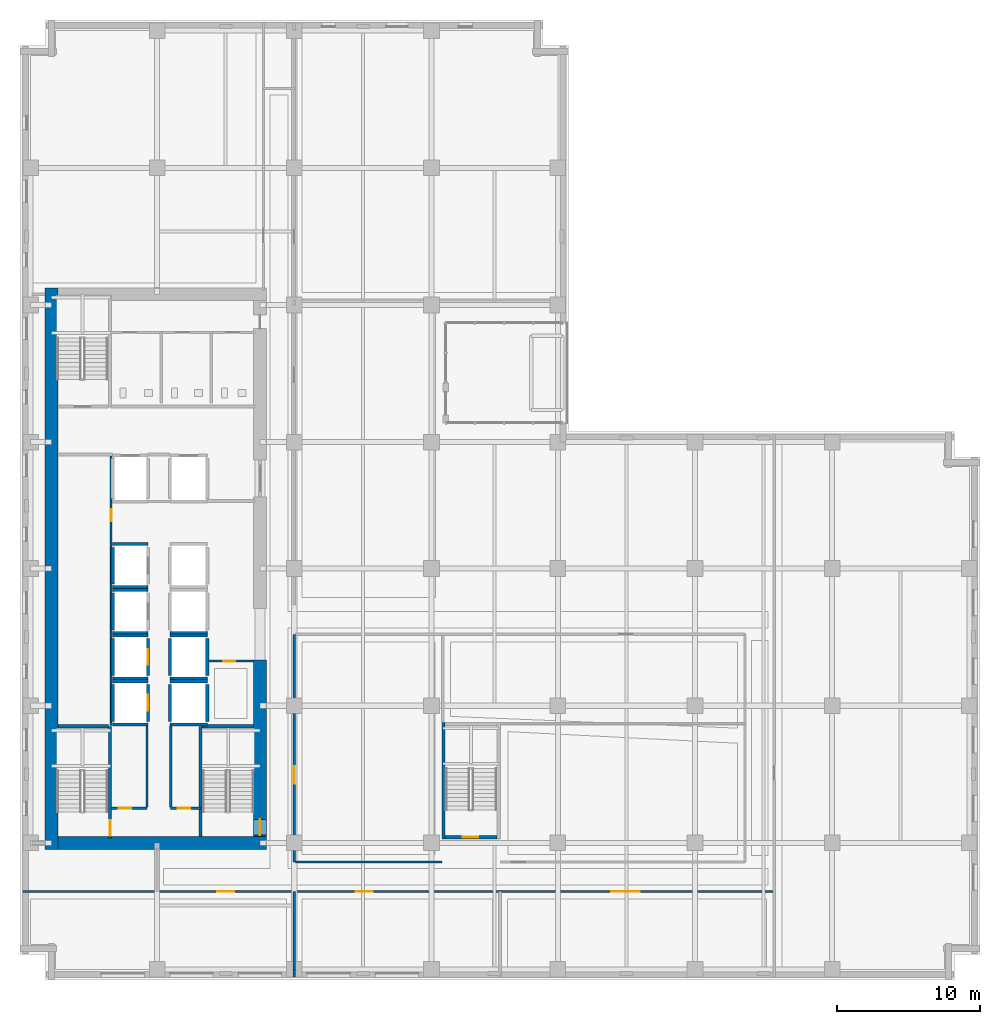
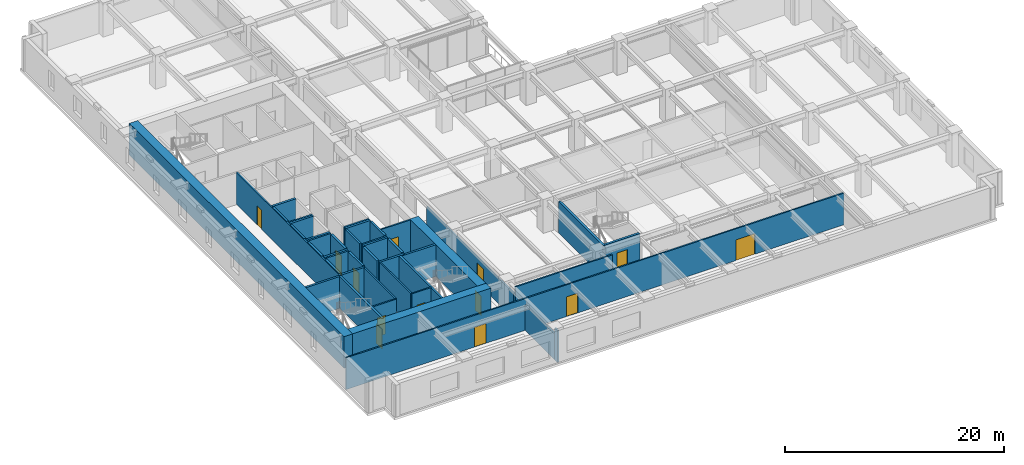
# One storey, part 4 of 16: 43 walls, 13 doors, 13 openings.
"""IFC4 building model written with IfcOpenShell, lengths in metres."""

from ifc_helpers import new_model, si_unit, direction, frame, frame_2d, origin, place, context, subcontext, project, spatial, rectangle, extrude, material, layer, layer_set, type_object, element, fill, save


model = new_model("IFC4")

# Units and contexts
model_context = context("Model", 3, precision=1e-05, world=origin(), true_north=direction((0.0, 1.0)))
body_context = subcontext(model_context, "Body", "Model", "MODEL_VIEW")
ifc_project = project(units=[si_unit("LENGTHUNIT", "METRE"), si_unit("AREAUNIT", "SQUARE_METRE"), si_unit("VOLUMEUNIT", "CUBIC_METRE"), si_unit("PLANEANGLEUNIT", "RADIAN"), si_unit("MASSUNIT", "GRAM", prefix="KILO")], contexts=[model_context])

# Site, building, storey
site_placement = place(None, origin())
site = spatial("IfcSite", under=ifc_project, at=site_placement, CompositionType="ELEMENT")
building_placement = place(site_placement, origin())
building = spatial("IfcBuilding", under=site, at=building_placement, Name="Norrvale University Quadrangle", CompositionType="ELEMENT")
storey_placement = place(building_placement, frame((0.0, 0.0, 58.39990234375)))
storey = spatial("IfcBuildingStorey", under=building, at=storey_placement, Name="L14", CompositionType="ELEMENT", Elevation=58.39990234375)

# Walls
ifc_material_1 = material(Name="Concrete C80/95", Category="concrete")
ifc_layer_1 = layer(ifc_material_1, 0.89990234375, Name="Concrete C80/95")
ifc_layer_set_1 = layer_set([ifc_layer_1], Name="Concrete C80/95")
wall_type_1 = type_object("IfcWallType", Name="Wall Core 900", PredefinedType="SHEAR", material=ifc_layer_set_1)
wall_1_placement = place(storey_placement, frame((2.64990234375, 9.60009765625, 0.0), z_axis=(0.0, 0.0, 1.0), x_axis=(1.0, 0.0, 0.0)))
element("IfcWall", 1, at=wall_1_placement, inside=storey, type_object=wall_type_1, Name="Tower Core Shear Wall L14-S", PredefinedType="SHEAR", context=body_context, shape_type="SweptSolid", body=[
    extrude(rectangle(XDim=14.60009765625, YDim=0.89990234375, at=frame_2d((7.300048828125, 0.0))), origin(), (0.0, 0.0, 1.0), 3.5400390625),
])
wall_2_placement = place(storey_placement, frame((2.199951171875, 9.14990234375, 0.0), z_axis=(0.0, 0.0, 1.0), x_axis=(0.0, 1.0, 0.0)))
element("IfcWall", 2, at=wall_2_placement, inside=storey, type_object=wall_type_1, Name="Tower Core Shear Wall L14-W", PredefinedType="SHEAR", context=body_context, shape_type="SweptSolid", body=[
    extrude(rectangle(XDim=39.300048828125, YDim=0.89990234375, at=frame_2d((19.64990234375, 0.0))), origin(), (0.0, 0.0, 1.0), 3.5400390625),
])

# Wall, opening, door
wall_3_placement = place(storey_placement, frame((16.800048828125, 10.050048828125, 0.0), z_axis=(0.0, 0.0, 1.0), x_axis=(0.0, 1.0, 0.0)))
wall_3 = element("IfcWall", 3, at=wall_3_placement, inside=storey, type_object=wall_type_1, Name="Tower Core Shear Wall L14-E1", PredefinedType="SHEAR", context=body_context, shape_type="SweptSolid", body=[
    extrude(rectangle(XDim=12.349853515625, YDim=0.89990234375, at=frame_2d((6.1748046875, 0.0))), origin(), (0.0, 0.0, 1.0), 3.5400390625),
])
opening_1_placement = place(wall_3_placement, frame((0.090087890625, 0.0, 0.0)))
opening_1 = element("IfcOpeningElement", 4, at=opening_1_placement, cuts=wall_3, Name="Opening D02", PredefinedType="OPENING", context=body_context, shape_type="SweptSolid", body=[
    extrude(rectangle(XDim=1.10009765625, YDim=2.199951171875, at=frame_2d((0.550048828125, 1.10009765625))), frame((0.0, 0.4619140625, 0.0), z_axis=(0.0, -1.0, 0.0), x_axis=(1.0, 0.0, 0.0)), (0.0, 0.0, 1.0), 0.923828125),
])
ifc_material_2 = material(Name="Hollow Steel 350W Fire Door", Category="steel")
door_type_1 = type_object("IfcDoorType", Name="Door Stair Exit 1100x2200", OperationType="NOTDEFINED", PredefinedType="DOOR", material=ifc_material_2)
door_1_placement = place(opening_1_placement, origin())
door_1 = element("IfcDoor", 5, at=door_1_placement, inside=storey, type_object=door_type_1, Name="Door Stair Exit 1100x2200 DR-L14-ST03", OperationType="SINGLE_SWING_LEFT", OverallHeight=2.199951171875, OverallWidth=1.10009765625, PredefinedType="DOOR", context=body_context, shape_type="SweptSolid", body=[
    extrude(rectangle(XDim=1.10009765625, YDim=2.199951171875, at=frame_2d((0.550048828125, 1.10009765625))), frame((0.0, 0.02490234375, 0.0), z_axis=(0.0, -1.0, 0.0), x_axis=(1.0, 0.0, 0.0)), (0.0, 0.0, 1.0), 0.050048828125),
])
fill(opening_1, door_1)

ifc_material_3 = material(Name="Fire-Rated Gypsum Stud Partition")
ifc_layer_2 = layer(ifc_material_3, 0.14990234375, Name="Fire-Rated Gypsum Stud Partition")
ifc_layer_set_2 = layer_set([ifc_layer_2], Name="Fire-Rated Gypsum Stud Partition")
wall_type_2 = type_object("IfcWallType", Name="Wall Gypsum Corridor 150", PredefinedType="PARTITIONING", material=ifc_layer_set_2)
wall_4_placement = place(storey_placement, frame((6.419921875, 12.02001953125, 0.0), z_axis=(0.0, 0.0, 1.0), x_axis=(1.0, 0.0, 0.0)))
wall_4 = element("IfcWall", 6, at=wall_4_placement, inside=storey, type_object=wall_type_2, Name="Interior Partition WL-L14-SC-NL", PredefinedType="PARTITIONING", context=body_context, shape_type="SweptSolid", body=[
    extrude(rectangle(XDim=2.47998046875, YDim=0.14990234375, at=frame_2d((1.239990234375, 0.0))), origin(), (0.0, 0.0, 1.0), 3.5400390625),
])
opening_2_placement = place(wall_4_placement, frame((0.5, 0.0, 0.0)))
opening_2 = element("IfcOpeningElement", 7, at=opening_2_placement, cuts=wall_4, Name="Opening D10", PredefinedType="OPENING", context=body_context, shape_type="SweptSolid", body=[
    extrude(rectangle(XDim=0.85009765625, YDim=2.10009765625, at=frame_2d((0.425048828125, 1.050048828125))), frame((0.0, 0.0869140625, 0.0), z_axis=(0.0, -1.0, 0.0), x_axis=(1.0, 0.0, 0.0)), (0.0, 0.0, 1.0), 0.173828125),
])
ifc_material_4 = material(Name="Hollow Steel 350W Riser Fire Door", Category="steel")
door_type_2 = type_object("IfcDoorType", Name="Door Riser 850x2100", OperationType="NOTDEFINED", PredefinedType="DOOR", material=ifc_material_4)
door_2_placement = place(opening_2_placement, origin())
door_2 = element("IfcDoor", 8, at=door_2_placement, inside=storey, type_object=door_type_2, Name="Door Riser 850x2100 DR-L14-ELEC", OperationType="SINGLE_SWING_LEFT", OverallHeight=2.10009765625, OverallWidth=0.85009765625, PredefinedType="DOOR", context=body_context, shape_type="SweptSolid", body=[
    extrude(rectangle(XDim=0.85009765625, YDim=2.10009765625, at=frame_2d((0.425048828125, 1.050048828125))), frame((0.0, 0.02490234375, 0.0), z_axis=(0.0, -1.0, 0.0), x_axis=(1.0, 0.0, 0.0)), (0.0, 0.0, 1.0), 0.050048828125),
])
fill(opening_2, door_2)

wall_5_placement = place(storey_placement, frame((10.550048828125, 12.02001953125, 0.0), z_axis=(0.0, 0.0, 1.0), x_axis=(1.0, 0.0, 0.0)))
wall_5 = element("IfcWall", 9, at=wall_5_placement, inside=storey, type_object=wall_type_2, Name="Interior Partition WL-L14-SC-NR", PredefinedType="PARTITIONING", context=body_context, shape_type="SweptSolid", body=[
    extrude(rectangle(XDim=2.079833984375, YDim=0.14990234375, at=frame_2d((1.0400390625, 0.0))), origin(), (0.0, 0.0, 1.0), 3.5400390625),
])
opening_3_placement = place(wall_5_placement, frame((0.5, 0.0, 0.0)))
opening_3 = element("IfcOpeningElement", 10, at=opening_3_placement, cuts=wall_5, Name="Opening D10", PredefinedType="OPENING", context=body_context, shape_type="SweptSolid", body=[
    extrude(rectangle(XDim=0.85009765625, YDim=2.10009765625, at=frame_2d((0.425048828125, 1.050048828125))), frame((0.0, 0.0869140625, 0.0), z_axis=(0.0, -1.0, 0.0), x_axis=(1.0, 0.0, 0.0)), (0.0, 0.0, 1.0), 0.173828125),
])
door_3_placement = place(opening_3_placement, origin())
door_3 = element("IfcDoor", 11, at=door_3_placement, inside=storey, type_object=door_type_2, Name="Door Riser 850x2100 DR-L14-IDF", OperationType="SINGLE_SWING_RIGHT", OverallHeight=2.10009765625, OverallWidth=0.85009765625, PredefinedType="DOOR", context=body_context, shape_type="SweptSolid", body=[
    extrude(rectangle(XDim=0.85009765625, YDim=2.10009765625, at=frame_2d((0.425048828125, 1.050048828125))), frame((0.0, 0.02490234375, 0.0), z_axis=(0.0, -1.0, 0.0), x_axis=(1.0, 0.0, 0.0)), (0.0, 0.0, 1.0), 0.050048828125),
])
fill(opening_3, door_3)

# Walls
for number, where, z_axis, x_axis, name in (
    (12, (8.89990234375, 12.094970703125, 0.0), (0.0, 0.0, 1.0), (0.0, 1.0, 0.0), "Interior Partition WL-L14-SC-WL"),
    (13, (10.550048828125, 12.094970703125, 0.0), (0.0, 0.0, 1.0), (0.0, 1.0, 0.0), "Interior Partition WL-L14-SC-WR"),
):
    element("IfcWall", number, at=place(storey_placement, frame(where, z_axis=z_axis, x_axis=x_axis)), inside=storey, type_object=wall_type_2, Name=name, PredefinedType="PARTITIONING", context=body_context, shape_type="SweptSolid", body=[
        extrude(rectangle(XDim=5.679931640625, YDim=0.14990234375, at=frame_2d((2.83984375, 0.0))), origin(), (0.0, 0.0, 1.0), 3.5400390625),
    ])

# Wall, opening, door
wall_6_placement = place(storey_placement, frame((13.22509765625, 22.320068359375, 0.0), z_axis=(0.0, 0.0, 1.0), x_axis=(1.0, 0.0, 0.0)))
wall_6 = element("IfcWall", 14, at=wall_6_placement, inside=storey, type_object=wall_type_2, Name="Interior Partition WL-L14-JAN-N", PredefinedType="PARTITIONING", context=body_context, shape_type="SweptSolid", body=[
    extrude(rectangle(XDim=3.119873046875, YDim=0.14990234375, at=frame_2d((1.56005859375, 0.0))), origin(), (0.0, 0.0, 1.0), 3.5400390625),
])
opening_4_placement = place(wall_6_placement, frame((1.0, 0.0, 0.0)))
opening_4 = element("IfcOpeningElement", 15, at=opening_4_placement, cuts=wall_6, Name="Opening D10", PredefinedType="OPENING", context=body_context, shape_type="SweptSolid", body=[
    extrude(rectangle(XDim=0.85009765625, YDim=2.10009765625, at=frame_2d((0.425048828125, 1.050048828125))), frame((0.0, 0.0869140625, 0.0), z_axis=(0.0, -1.0, 0.0), x_axis=(1.0, 0.0, 0.0)), (0.0, 0.0, 1.0), 0.173828125),
])
door_4_placement = place(opening_4_placement, origin())
door_4 = element("IfcDoor", 16, at=door_4_placement, inside=storey, type_object=door_type_2, Name="Door Riser 850x2100 DR-L14-JAN", OperationType="SINGLE_SWING_LEFT", OverallHeight=2.10009765625, OverallWidth=0.85009765625, PredefinedType="DOOR", context=body_context, shape_type="SweptSolid", body=[
    extrude(rectangle(XDim=0.85009765625, YDim=2.10009765625, at=frame_2d((0.425048828125, 1.050048828125))), frame((0.0, 0.02490234375, 0.0), z_axis=(0.0, -1.0, 0.0), x_axis=(1.0, 0.0, 0.0)), (0.0, 0.0, 1.0), 0.050048828125),
])
fill(opening_4, door_4)

wall_7_placement = place(storey_placement, frame((6.3798828125, 17.800048828125, 0.0), z_axis=(0.0, 0.0, 1.0), x_axis=(0.0, 1.0, 0.0)))
wall_7 = element("IfcWall", 17, at=wall_7_placement, inside=storey, type_object=wall_type_2, Name="Interior Partition WL-L14-WME-E", PredefinedType="PARTITIONING", context=body_context, shape_type="SweptSolid", body=[
    extrude(rectangle(XDim=18.97998046875, YDim=0.14990234375, at=frame_2d((9.489990234375, 0.0))), origin(), (0.0, 0.0, 1.0), 3.5400390625),
])
opening_5_placement = place(wall_7_placement, frame((14.300048828125, 0.0, 0.0)))
opening_5 = element("IfcOpeningElement", 18, at=opening_5_placement, cuts=wall_7, Name="Opening D10", PredefinedType="OPENING", context=body_context, shape_type="SweptSolid", body=[
    extrude(rectangle(XDim=0.85009765625, YDim=2.10009765625, at=frame_2d((0.425048828125, 1.050048828125))), frame((0.0, 0.0869140625, 0.0), z_axis=(0.0, -1.0, 0.0), x_axis=(1.0, 0.0, 0.0)), (0.0, 0.0, 1.0), 0.173828125),
])
door_5_placement = place(opening_5_placement, origin())
door_5 = element("IfcDoor", 19, at=door_5_placement, inside=storey, type_object=door_type_2, Name="Door Riser 850x2100 DR-L14-WME", OperationType="SINGLE_SWING_LEFT", OverallHeight=2.10009765625, OverallWidth=0.85009765625, PredefinedType="DOOR", context=body_context, shape_type="SweptSolid", body=[
    extrude(rectangle(XDim=0.85009765625, YDim=2.10009765625, at=frame_2d((0.425048828125, 1.050048828125))), frame((0.0, 0.02490234375, 0.0), z_axis=(0.0, -1.0, 0.0), x_axis=(1.0, 0.0, 0.0)), (0.0, 0.0, 1.0), 0.050048828125),
])
fill(opening_5, door_5)

# Wall, openings, doors
wall_8_placement = place(storey_placement, frame((0.219970703125, 6.199951171875, 0.0), z_axis=(0.0, 0.0, 1.0), x_axis=(1.0, 0.0, 0.0)))
wall_8 = element("IfcWall", 20, at=wall_8_placement, inside=storey, type_object=wall_type_2, Name="Interior Partition WL-L14-SCW", PredefinedType="PARTITIONING", context=body_context, shape_type="SweptSolid", body=[
    extrude(rectangle(XDim=52.580078125, YDim=0.14990234375, at=frame_2d((26.2900390625, 0.0))), origin(), (0.0, 0.0, 1.0), 3.5400390625),
])
opening_6_placement = place(wall_8_placement, frame((13.580078125, 0.0, 0.0)))
opening_6 = element("IfcOpeningElement", 21, at=opening_6_placement, cuts=wall_8, Name="Opening D05", PredefinedType="OPENING", context=body_context, shape_type="SweptSolid", body=[
    extrude(rectangle(XDim=1.199951171875, YDim=2.199951171875, at=frame_2d((0.60009765625, 1.10009765625))), frame((0.0, 0.0869140625, 0.0), z_axis=(0.0, -1.0, 0.0), x_axis=(1.0, 0.0, 0.0)), (0.0, 0.0, 1.0), 0.173828125),
])
opening_7_placement = place(wall_8_placement, frame((23.280029296875, 0.0, 0.0)))
opening_7 = element("IfcOpeningElement", 22, at=opening_7_placement, cuts=wall_8, Name="Opening D05", PredefinedType="OPENING", context=body_context, shape_type="SweptSolid", body=[
    extrude(rectangle(XDim=1.199951171875, YDim=2.199951171875, at=frame_2d((0.60009765625, 1.10009765625))), frame((0.0, 0.0869140625, 0.0), z_axis=(0.0, -1.0, 0.0), x_axis=(1.0, 0.0, 0.0)), (0.0, 0.0, 1.0), 0.173828125),
])
opening_8_placement = place(wall_8_placement, frame((41.179931640625, 0.0, 0.0)))
opening_8 = element("IfcOpeningElement", 23, at=opening_8_placement, cuts=wall_8, Name="Opening D06", PredefinedType="OPENING", context=body_context, shape_type="SweptSolid", body=[
    extrude(rectangle(XDim=2.0, YDim=2.300048828125, at=frame_2d((1.0, 1.14990234375))), frame((0.0, 0.0869140625, 0.0), z_axis=(0.0, -1.0, 0.0), x_axis=(1.0, 0.0, 0.0)), (0.0, 0.0, 1.0), 0.173828125),
])
ifc_material_5 = material(Name="Acoustic Oak Classroom Door", Category="wood")
door_type_3 = type_object("IfcDoorType", Name="Door Classroom 1200x2200", OperationType="NOTDEFINED", PredefinedType="DOOR", material=ifc_material_5)
door_6_placement = place(opening_6_placement, origin())
door_6 = element("IfcDoor", 24, at=door_6_placement, inside=storey, type_object=door_type_3, Name="Door Classroom 1200x2200 DR-L14-S01", OperationType="SINGLE_SWING_LEFT", OverallHeight=2.199951171875, OverallWidth=1.199951171875, PredefinedType="DOOR", context=body_context, shape_type="SweptSolid", body=[
    extrude(rectangle(XDim=1.199951171875, YDim=2.199951171875, at=frame_2d((0.60009765625, 1.10009765625))), frame((0.0, 0.02490234375, 0.0), z_axis=(0.0, -1.0, 0.0), x_axis=(1.0, 0.0, 0.0)), (0.0, 0.0, 1.0), 0.050048828125),
])
fill(opening_6, door_6)
door_7_placement = place(opening_7_placement, origin())
door_7 = element("IfcDoor", 25, at=door_7_placement, inside=storey, type_object=door_type_3, Name="Door Classroom 1200x2200 DR-L14-S02", OperationType="SINGLE_SWING_RIGHT", OverallHeight=2.199951171875, OverallWidth=1.199951171875, PredefinedType="DOOR", context=body_context, shape_type="SweptSolid", body=[
    extrude(rectangle(XDim=1.199951171875, YDim=2.199951171875, at=frame_2d((0.60009765625, 1.10009765625))), frame((0.0, 0.02490234375, 0.0), z_axis=(0.0, -1.0, 0.0), x_axis=(1.0, 0.0, 0.0)), (0.0, 0.0, 1.0), 0.050048828125),
])
fill(opening_7, door_7)
ifc_material_6 = material(Name="Acoustic Oak Double Door", Category="wood")
door_type_4 = type_object("IfcDoorType", Name="Door Lecture Dbl 2000x2300", OperationType="DOUBLE_SWING_LEFT", PredefinedType="DOOR", material=ifc_material_6)
door_8_placement = place(opening_8_placement, origin())
door_8 = element("IfcDoor", 26, at=door_8_placement, inside=storey, type_object=door_type_4, Name="Door Lecture Dbl 2000x2300 DR-L14-S03", OperationType="DOUBLE_SWING_LEFT", OverallHeight=2.300048828125, OverallWidth=2.0, PredefinedType="DOOR", context=body_context, shape_type="SweptSolid", body=[
    extrude(rectangle(XDim=2.0, YDim=2.300048828125, at=frame_2d((1.0, 1.14990234375))), frame((0.0, 0.02490234375, 0.0), z_axis=(0.0, -1.0, 0.0), x_axis=(1.0, 0.0, 0.0)), (0.0, 0.0, 1.0), 0.050048828125),
])
fill(opening_8, door_8)

# Wall, opening, door
wall_9_placement = place(storey_placement, frame((19.199951171875, 8.25, 0.0), z_axis=(0.0, 0.0, 1.0), x_axis=(0.0, 1.0, 0.0)))
wall_9 = element("IfcWall", 27, at=wall_9_placement, inside=storey, type_object=wall_type_2, Name="Interior Partition WL-L14-ISLW", PredefinedType="PARTITIONING", context=body_context, shape_type="SweptSolid", body=[
    extrude(rectangle(XDim=15.949951171875, YDim=0.14990234375, at=frame_2d((7.97509765625, 0.0))), origin(), (0.0, 0.0, 1.0), 2.84521484375),
])
opening_9_placement = place(wall_9_placement, frame((5.5, 0.0, 0.0)))
opening_9 = element("IfcOpeningElement", 28, at=opening_9_placement, cuts=wall_9, Name="Opening D05", PredefinedType="OPENING", context=body_context, shape_type="SweptSolid", body=[
    extrude(rectangle(XDim=1.199951171875, YDim=2.199951171875, at=frame_2d((0.60009765625, 1.10009765625))), frame((0.0, 0.0869140625, 0.0), z_axis=(0.0, -1.0, 0.0), x_axis=(1.0, 0.0, 0.0)), (0.0, 0.0, 1.0), 0.173828125),
])
door_9_placement = place(opening_9_placement, origin())
door_9 = element("IfcDoor", 29, at=door_9_placement, inside=storey, type_object=door_type_3, Name="Door Classroom 1200x2200 DR-L14-IW1", OperationType="SINGLE_SWING_LEFT", OverallHeight=2.199951171875, OverallWidth=1.199951171875, PredefinedType="DOOR", context=body_context, shape_type="SweptSolid", body=[
    extrude(rectangle(XDim=1.199951171875, YDim=2.199951171875, at=frame_2d((0.60009765625, 1.10009765625))), frame((0.0, 0.02490234375, 0.0), z_axis=(0.0, -1.0, 0.0), x_axis=(1.0, 0.0, 0.0)), (0.0, 0.0, 1.0), 0.050048828125),
])
fill(opening_9, door_9)

# Walls
wall_10_placement = place(storey_placement, frame((19.280029296875, 8.25, 0.0), z_axis=(0.0, 0.0, 1.0), x_axis=(1.0, 0.0, 0.0)))
element("IfcWall", 30, at=wall_10_placement, inside=storey, type_object=wall_type_2, Name="Interior Partition WL-L14-ISLS1", PredefinedType="PARTITIONING", context=body_context, shape_type="SweptSolid", body=[
    extrude(rectangle(XDim=10.244873046875, YDim=0.14990234375, at=frame_2d((5.12255859375, 0.0))), origin(), (0.0, 0.0, 1.0), 3.5400390625),
])
ifc_material_7 = material(Name="Acoustic Double-Stud Gypsum Partition")
ifc_layer_3 = layer(ifc_material_7, 0.179931640625, Name="Acoustic Double-Stud Gypsum Partition")
ifc_layer_set_3 = layer_set([ifc_layer_3], Name="Acoustic Double-Stud Gypsum Partition")
wall_type_3 = type_object("IfcWallType", Name="Wall Gypsum Lecture 180", PredefinedType="PARTITIONING", material=ifc_layer_set_3)
wall_11_placement = place(storey_placement, frame((19.199951171875, 0.219970703125, 0.0), z_axis=(0.0, 0.0, 1.0), x_axis=(0.0, 1.0, 0.0)))
element("IfcWall", 31, at=wall_11_placement, inside=storey, type_object=wall_type_3, Name="Interior Partition WL-L14-SP01", PredefinedType="PARTITIONING", context=body_context, shape_type="SweptSolid", body=[
    extrude(rectangle(XDim=0.530029296875, YDim=0.179931640625, at=frame_2d((0.26513671875, 0.0))), origin(), (0.0, 0.0, 1.0), 3.5400390625),
])
wall_12_placement = place(storey_placement, frame((19.199951171875, 0.75, 0.0), z_axis=(0.0, 0.0, 1.0), x_axis=(0.0, 1.0, 0.0)))
element("IfcWall", 32, at=wall_12_placement, inside=storey, type_object=wall_type_3, Name="Interior Partition WL-L14-SP01-B2", PredefinedType="PARTITIONING", context=body_context, shape_type="SweptSolid", body=[
    extrude(rectangle(XDim=5.449951171875, YDim=0.179931640625, at=frame_2d((2.72509765625, 0.0))), origin(), (0.0, 0.0, 1.0), 2.84521484375),
])

# Wall, opening, door
ifc_material_8 = material(Name="Concrete Blockwork 20 MPa Fire Shaft", Category="masonry")
ifc_layer_4 = layer(ifc_material_8, 0.219970703125, Name="Concrete Blockwork 20 MPa Fire Shaft")
ifc_layer_set_4 = layer_set([ifc_layer_4], Name="Concrete Blockwork 20 MPa Fire Shaft")
wall_type_4 = type_object("IfcWallType", Name="Wall Shaft 220", PredefinedType="SOLIDWALL", material=ifc_layer_set_4)
wall_13_placement = place(storey_placement, frame((6.31005859375, 9.949951171875, 0.0), z_axis=(0.0, 0.0, 1.0), x_axis=(0.0, 1.0, 0.0)))
wall_13 = element("IfcWall", 33, at=wall_13_placement, inside=storey, type_object=wall_type_4, Name="Stair ST-01 East Shaft Wall L14", PredefinedType="SOLIDWALL", context=body_context, shape_type="SweptSolid", body=[
    extrude(rectangle(XDim=7.81005859375, YDim=0.219970703125, at=frame_2d((3.905029296875, 0.0))), origin(), (0.0, 0.0, 1.0), 3.5400390625),
])
opening_10_placement = place(wall_13_placement, frame((0.139892578125, 0.0, 0.0)))
opening_10 = element("IfcOpeningElement", 34, at=opening_10_placement, cuts=wall_13, Name="Opening D02", PredefinedType="OPENING", context=body_context, shape_type="SweptSolid", body=[
    extrude(rectangle(XDim=1.10009765625, YDim=2.199951171875, at=frame_2d((0.550048828125, 1.10009765625))), frame((0.0, 0.1220703125, 0.0), z_axis=(0.0, -1.0, 0.0), x_axis=(1.0, 0.0, 0.0)), (0.0, 0.0, 1.0), 0.243896484375),
])
door_10_placement = place(opening_10_placement, origin())
door_10 = element("IfcDoor", 35, at=door_10_placement, inside=storey, type_object=door_type_1, Name="Door Stair Exit 1100x2200 DR-L14-ST01", OperationType="SINGLE_SWING_LEFT", OverallHeight=2.199951171875, OverallWidth=1.10009765625, PredefinedType="DOOR", context=body_context, shape_type="SweptSolid", body=[
    extrude(rectangle(XDim=1.10009765625, YDim=2.199951171875, at=frame_2d((0.550048828125, 1.10009765625))), frame((0.0, 0.02490234375, 0.0), z_axis=(0.0, -1.0, 0.0), x_axis=(1.0, 0.0, 0.0)), (0.0, 0.0, 1.0), 0.050048828125),
])
fill(opening_10, door_10)

# Walls
wall_14_placement = place(storey_placement, frame((2.64990234375, 17.760009765625, 0.0), z_axis=(0.0, 0.0, 1.0), x_axis=(1.0, 0.0, 0.0)))
element("IfcWall", 36, at=wall_14_placement, inside=storey, type_object=wall_type_4, Name="Stair ST-01 North Shaft Wall L14", PredefinedType="SOLIDWALL", context=body_context, shape_type="SweptSolid", body=[
    extrude(rectangle(XDim=3.550048828125, YDim=0.219970703125, at=frame_2d((1.77490234375, 0.0))), origin(), (0.0, 0.0, 1.0), 3.5400390625),
])
wall_15_placement = place(storey_placement, frame((12.639892578125, 10.050048828125, 0.0), z_axis=(0.0, 0.0, 1.0), x_axis=(0.0, 1.0, 0.0)))
element("IfcWall", 37, at=wall_15_placement, inside=storey, type_object=wall_type_4, Name="Stair ST-03 West Shaft Wall L14", PredefinedType="SOLIDWALL", context=body_context, shape_type="SweptSolid", body=[
    extrude(rectangle(XDim=7.7099609375, YDim=0.219970703125, at=frame_2d((3.85498046875, 0.0))), origin(), (0.0, 0.0, 1.0), 3.5400390625),
])
wall_16_placement = place(storey_placement, frame((12.75, 17.760009765625, 0.0), z_axis=(0.0, 0.0, 1.0), x_axis=(1.0, 0.0, 0.0)))
element("IfcWall", 38, at=wall_16_placement, inside=storey, type_object=wall_type_4, Name="Stair ST-03 North Shaft Wall L14", PredefinedType="SOLIDWALL", context=body_context, shape_type="SweptSolid", body=[
    extrude(rectangle(XDim=3.60009765625, YDim=0.219970703125, at=frame_2d((1.800048828125, 0.0))), origin(), (0.0, 0.0, 1.0), 3.5400390625),
])

# Wall, opening, door
wall_17_placement = place(storey_placement, frame((29.75, 9.989990234375, 0.0), z_axis=(0.0, 0.0, 1.0), x_axis=(1.0, 0.0, 0.0)))
wall_17 = element("IfcWall", 39, at=wall_17_placement, inside=storey, type_object=wall_type_4, Name="Stair ST-04 South Shaft Wall L14", PredefinedType="SOLIDWALL", context=body_context, shape_type="SweptSolid", body=[
    extrude(rectangle(XDim=3.64990234375, YDim=0.219970703125, at=frame_2d((1.824951171875, 0.0))), origin(), (0.0, 0.0, 1.0), 3.5400390625),
])
opening_11_placement = place(wall_17_placement, frame((1.239990234375, 0.0, 0.0)))
opening_11 = element("IfcOpeningElement", 40, at=opening_11_placement, cuts=wall_17, Name="Opening D02", PredefinedType="OPENING", context=body_context, shape_type="SweptSolid", body=[
    extrude(rectangle(XDim=1.10009765625, YDim=2.199951171875, at=frame_2d((0.550048828125, 1.10009765625))), frame((0.0, 0.1220703125, 0.0), z_axis=(0.0, -1.0, 0.0), x_axis=(1.0, 0.0, 0.0)), (0.0, 0.0, 1.0), 0.243896484375),
])
door_11_placement = place(opening_11_placement, origin())
door_11 = element("IfcDoor", 41, at=door_11_placement, inside=storey, type_object=door_type_1, Name="Door Stair Exit 1100x2200 DR-L14-ST04", OperationType="SINGLE_SWING_LEFT", OverallHeight=2.199951171875, OverallWidth=1.10009765625, PredefinedType="DOOR", context=body_context, shape_type="SweptSolid", body=[
    extrude(rectangle(XDim=1.10009765625, YDim=2.199951171875, at=frame_2d((0.550048828125, 1.10009765625))), frame((0.0, 0.02490234375, 0.0), z_axis=(0.0, -1.0, 0.0), x_axis=(1.0, 0.0, 0.0)), (0.0, 0.0, 1.0), 0.050048828125),
])
fill(opening_11, door_11)

# Walls
wall_18_placement = place(storey_placement, frame((29.639892578125, 9.8798828125, 0.0), z_axis=(0.0, 0.0, 1.0), x_axis=(0.0, 1.0, 0.0)))
element("IfcWall", 42, at=wall_18_placement, inside=storey, type_object=wall_type_4, Name="Stair ST-04 West Shaft Wall L14", PredefinedType="SOLIDWALL", context=body_context, shape_type="SweptSolid", body=[
    extrude(rectangle(XDim=8.14013671875, YDim=0.219970703125, at=frame_2d((4.070068359375, 0.0))), origin(), (0.0, 0.0, 1.0), 3.5400390625),
])
wall_19_placement = place(storey_placement, frame((6.489990234375, 18.110107421875, 0.0), z_axis=(0.0, 0.0, 1.0), x_axis=(0.0, 1.0, 0.0)))
element("IfcWall", 43, at=wall_19_placement, inside=storey, type_object=wall_type_4, Name="Hoistway PL-01 West Wall L14", PredefinedType="SOLIDWALL", context=body_context, shape_type="SweptSolid", body=[
    extrude(rectangle(XDim=2.579833984375, YDim=0.219970703125, at=frame_2d((1.2900390625, 0.0))), origin(), (0.0, 0.0, 1.0), 3.5400390625),
])

# Wall, opening, door
wall_20_placement = place(storey_placement, frame((8.9599609375, 18.110107421875, 0.0), z_axis=(0.0, 0.0, 1.0), x_axis=(0.0, 1.0, 0.0)))
wall_20 = element("IfcWall", 44, at=wall_20_placement, inside=storey, type_object=wall_type_4, Name="Hoistway PL-01 East Wall L14", PredefinedType="SOLIDWALL", context=body_context, shape_type="SweptSolid", body=[
    extrude(rectangle(XDim=2.579833984375, YDim=0.219970703125, at=frame_2d((1.2900390625, 0.0))), origin(), (0.0, 0.0, 1.0), 3.5400390625),
])
opening_12_placement = place(wall_20_placement, frame((0.739990234375, 0.0, 0.0)))
opening_12 = element("IfcOpeningElement", 45, at=opening_12_placement, cuts=wall_20, Name="Opening LD1", PredefinedType="OPENING", context=body_context, shape_type="SweptSolid", body=[
    extrude(rectangle(XDim=1.10009765625, YDim=2.199951171875, at=frame_2d((0.550048828125, 1.10009765625))), frame((0.0, 0.1220703125, 0.0), z_axis=(0.0, -1.0, 0.0), x_axis=(1.0, 0.0, 0.0)), (0.0, 0.0, 1.0), 0.243896484375),
])
ifc_material_9 = material(Name="Stainless Steel 316L Lift Landing Door", Category="steel")
door_type_5 = type_object("IfcDoorType", Name="Door Lift Landing 1100x2200", OperationType="DOUBLE_DOOR_SLIDING", PredefinedType="DOOR", material=ifc_material_9)
door_12_placement = place(opening_12_placement, origin())
door_12 = element("IfcDoor", 46, at=door_12_placement, inside=storey, type_object=door_type_5, Name="Elevator Landing Door DR-L14-PL-01", OperationType="DOUBLE_DOOR_SLIDING", OverallHeight=2.199951171875, OverallWidth=1.10009765625, PredefinedType="DOOR", context=body_context, shape_type="SweptSolid", body=[
    extrude(rectangle(XDim=1.10009765625, YDim=2.199951171875, at=frame_2d((0.550048828125, 1.10009765625))), frame((0.0, 0.02490234375, 0.0), z_axis=(0.0, -1.0, 0.0), x_axis=(1.0, 0.0, 0.0)), (0.0, 0.0, 1.0), 0.050048828125),
])
fill(opening_12, door_12)

# Walls
for number, where, z_axis, x_axis, name in (
    (47, (6.489990234375, 17.889892578125, 0.0), (0.0, 0.0, 1.0), (1.0, 0.0, 0.0), "Hoistway PL-01 South Wall L14"),
    (48, (6.489990234375, 20.909912109375, 0.0), (0.0, 0.0, 1.0), (1.0, 0.0, 0.0), "Hoistway PL-01 North Wall L14"),
):
    element("IfcWall", number, at=place(storey_placement, frame(where, z_axis=z_axis, x_axis=x_axis)), inside=storey, type_object=wall_type_4, Name=name, PredefinedType="SOLIDWALL", context=body_context, shape_type="SweptSolid", body=[
        extrude(rectangle(XDim=2.469970703125, YDim=0.219970703125, at=frame_2d((1.23486328125, 0.0))), origin(), (0.0, 0.0, 1.0), 3.5400390625),
    ])
wall_21_placement = place(storey_placement, frame((6.489990234375, 21.31005859375, 0.0), z_axis=(0.0, 0.0, 1.0), x_axis=(0.0, 1.0, 0.0)))
element("IfcWall", 49, at=wall_21_placement, inside=storey, type_object=wall_type_4, Name="Hoistway PL-02 West Wall L14", PredefinedType="SOLIDWALL", context=body_context, shape_type="SweptSolid", body=[
    extrude(rectangle(XDim=2.579833984375, YDim=0.219970703125, at=frame_2d((1.2900390625, 0.0))), origin(), (0.0, 0.0, 1.0), 3.5400390625),
])

# Wall, opening, door
wall_22_placement = place(storey_placement, frame((8.9599609375, 21.31005859375, 0.0), z_axis=(0.0, 0.0, 1.0), x_axis=(0.0, 1.0, 0.0)))
wall_22 = element("IfcWall", 50, at=wall_22_placement, inside=storey, type_object=wall_type_4, Name="Hoistway PL-02 East Wall L14", PredefinedType="SOLIDWALL", context=body_context, shape_type="SweptSolid", body=[
    extrude(rectangle(XDim=2.579833984375, YDim=0.219970703125, at=frame_2d((1.2900390625, 0.0))), origin(), (0.0, 0.0, 1.0), 3.5400390625),
])
opening_13_placement = place(wall_22_placement, frame((0.739990234375, 0.0, 0.0)))
opening_13 = element("IfcOpeningElement", 51, at=opening_13_placement, cuts=wall_22, Name="Opening LD1", PredefinedType="OPENING", context=body_context, shape_type="SweptSolid", body=[
    extrude(rectangle(XDim=1.10009765625, YDim=2.199951171875, at=frame_2d((0.550048828125, 1.10009765625))), frame((0.0, 0.1220703125, 0.0), z_axis=(0.0, -1.0, 0.0), x_axis=(1.0, 0.0, 0.0)), (0.0, 0.0, 1.0), 0.243896484375),
])
door_13_placement = place(opening_13_placement, origin())
door_13 = element("IfcDoor", 52, at=door_13_placement, inside=storey, type_object=door_type_5, Name="Elevator Landing Door DR-L14-PL-02", OperationType="DOUBLE_DOOR_SLIDING", OverallHeight=2.199951171875, OverallWidth=1.10009765625, PredefinedType="DOOR", context=body_context, shape_type="SweptSolid", body=[
    extrude(rectangle(XDim=1.10009765625, YDim=2.199951171875, at=frame_2d((0.550048828125, 1.10009765625))), frame((0.0, 0.02490234375, 0.0), z_axis=(0.0, -1.0, 0.0), x_axis=(1.0, 0.0, 0.0)), (0.0, 0.0, 1.0), 0.050048828125),
])
fill(opening_13, door_13)

# Walls
for number, where, z_axis, x_axis, name in (
    (53, (6.489990234375, 21.090087890625, 0.0), (0.0, 0.0, 1.0), (1.0, 0.0, 0.0), "Hoistway PL-02 South Wall L14"),
    (54, (6.489990234375, 24.110107421875, 0.0), (0.0, 0.0, 1.0), (1.0, 0.0, 0.0), "Hoistway PL-02 North Wall L14"),
):
    element("IfcWall", number, at=place(storey_placement, frame(where, z_axis=z_axis, x_axis=x_axis)), inside=storey, type_object=wall_type_4, Name=name, PredefinedType="SOLIDWALL", context=body_context, shape_type="SweptSolid", body=[
        extrude(rectangle(XDim=2.469970703125, YDim=0.219970703125, at=frame_2d((1.23486328125, 0.0))), origin(), (0.0, 0.0, 1.0), 3.5400390625),
    ])
wall_23_placement = place(storey_placement, frame((6.489990234375, 24.510009765625, 0.0), z_axis=(0.0, 0.0, 1.0), x_axis=(0.0, 1.0, 0.0)))
element("IfcWall", 55, at=wall_23_placement, inside=storey, type_object=wall_type_4, Name="Hoistway PL-03 West Wall L14", PredefinedType="SOLIDWALL", context=body_context, shape_type="SweptSolid", body=[
    extrude(rectangle(XDim=2.580078125, YDim=0.219970703125, at=frame_2d((1.2900390625, 0.0))), origin(), (0.0, 0.0, 1.0), 3.5400390625),
])
for number, where, z_axis, x_axis, name in (
    (56, (6.489990234375, 24.2900390625, 0.0), (0.0, 0.0, 1.0), (1.0, 0.0, 0.0), "Hoistway PL-03 South Wall L14"),
    (57, (6.489990234375, 27.31005859375, 0.0), (0.0, 0.0, 1.0), (1.0, 0.0, 0.0), "Hoistway PL-03 North Wall L14"),
):
    element("IfcWall", number, at=place(storey_placement, frame(where, z_axis=z_axis, x_axis=x_axis)), inside=storey, type_object=wall_type_4, Name=name, PredefinedType="SOLIDWALL", context=body_context, shape_type="SweptSolid", body=[
        extrude(rectangle(XDim=2.469970703125, YDim=0.219970703125, at=frame_2d((1.23486328125, 0.0))), origin(), (0.0, 0.0, 1.0), 3.5400390625),
    ])
wall_24_placement = place(storey_placement, frame((6.489990234375, 27.7099609375, 0.0), z_axis=(0.0, 0.0, 1.0), x_axis=(0.0, 1.0, 0.0)))
element("IfcWall", 58, at=wall_24_placement, inside=storey, type_object=wall_type_4, Name="Hoistway PL-04 West Wall L14", PredefinedType="SOLIDWALL", context=body_context, shape_type="SweptSolid", body=[
    extrude(rectangle(XDim=2.580078125, YDim=0.219970703125, at=frame_2d((1.2900390625, 0.0))), origin(), (0.0, 0.0, 1.0), 3.5400390625),
])
for number, where, z_axis, x_axis, name in (
    (59, (6.489990234375, 27.489990234375, 0.0), (0.0, 0.0, 1.0), (1.0, 0.0, 0.0), "Hoistway PL-04 South Wall L14"),
    (60, (6.489990234375, 30.510009765625, 0.0), (0.0, 0.0, 1.0), (1.0, 0.0, 0.0), "Hoistway PL-04 North Wall L14"),
):
    element("IfcWall", number, at=place(storey_placement, frame(where, z_axis=z_axis, x_axis=x_axis)), inside=storey, type_object=wall_type_4, Name=name, PredefinedType="SOLIDWALL", context=body_context, shape_type="SweptSolid", body=[
        extrude(rectangle(XDim=2.469970703125, YDim=0.219970703125, at=frame_2d((1.23486328125, 0.0))), origin(), (0.0, 0.0, 1.0), 3.5400390625),
    ])
for number, where, z_axis, x_axis, name in (
    (61, (10.489990234375, 18.110107421875, 0.0), (0.0, 0.0, 1.0), (0.0, 1.0, 0.0), "Hoistway PL-05 West Wall L14"),
    (62, (13.110107421875, 18.110107421875, 0.0), (0.0, 0.0, 1.0), (0.0, 1.0, 0.0), "Hoistway PL-05 East Wall L14"),
):
    element("IfcWall", number, at=place(storey_placement, frame(where, z_axis=z_axis, x_axis=x_axis)), inside=storey, type_object=wall_type_4, Name=name, PredefinedType="SOLIDWALL", context=body_context, shape_type="SweptSolid", body=[
        extrude(rectangle(XDim=2.579833984375, YDim=0.219970703125, at=frame_2d((1.2900390625, 0.0))), origin(), (0.0, 0.0, 1.0), 3.5400390625),
    ])
for number, where, z_axis, x_axis, name in (
    (63, (10.489990234375, 17.889892578125, 0.0), (0.0, 0.0, 1.0), (1.0, 0.0, 0.0), "Hoistway PL-05 South Wall L14"),
    (64, (10.489990234375, 20.909912109375, 0.0), (0.0, 0.0, 1.0), (1.0, 0.0, 0.0), "Hoistway PL-05 North Wall L14"),
):
    element("IfcWall", number, at=place(storey_placement, frame(where, z_axis=z_axis, x_axis=x_axis)), inside=storey, type_object=wall_type_4, Name=name, PredefinedType="SOLIDWALL", context=body_context, shape_type="SweptSolid", body=[
        extrude(rectangle(XDim=2.6201171875, YDim=0.219970703125, at=frame_2d((1.31005859375, 0.0))), origin(), (0.0, 0.0, 1.0), 3.5400390625),
    ])
for number, where, z_axis, x_axis, name in (
    (65, (10.489990234375, 21.31005859375, 0.0), (0.0, 0.0, 1.0), (0.0, 1.0, 0.0), "Hoistway PL-06 West Wall L14"),
    (66, (13.110107421875, 21.31005859375, 0.0), (0.0, 0.0, 1.0), (0.0, 1.0, 0.0), "Hoistway PL-06 East Wall L14"),
):
    element("IfcWall", number, at=place(storey_placement, frame(where, z_axis=z_axis, x_axis=x_axis)), inside=storey, type_object=wall_type_4, Name=name, PredefinedType="SOLIDWALL", context=body_context, shape_type="SweptSolid", body=[
        extrude(rectangle(XDim=2.579833984375, YDim=0.219970703125, at=frame_2d((1.2900390625, 0.0))), origin(), (0.0, 0.0, 1.0), 3.5400390625),
    ])
for number, where, z_axis, x_axis, name in (
    (67, (10.489990234375, 21.090087890625, 0.0), (0.0, 0.0, 1.0), (1.0, 0.0, 0.0), "Hoistway PL-06 South Wall L14"),
    (68, (10.489990234375, 24.110107421875, 0.0), (0.0, 0.0, 1.0), (1.0, 0.0, 0.0), "Hoistway PL-06 North Wall L14"),
    (69, (10.489990234375, 24.2900390625, 0.0), (0.0, 0.0, 1.0), (1.0, 0.0, 0.0), "Hoistway PL-07 South Wall L14"),
):
    element("IfcWall", number, at=place(storey_placement, frame(where, z_axis=z_axis, x_axis=x_axis)), inside=storey, type_object=wall_type_4, Name=name, PredefinedType="SOLIDWALL", context=body_context, shape_type="SweptSolid", body=[
        extrude(rectangle(XDim=2.6201171875, YDim=0.219970703125, at=frame_2d((1.31005859375, 0.0))), origin(), (0.0, 0.0, 1.0), 3.5400390625),
    ])

save(model, "model.ifc")
